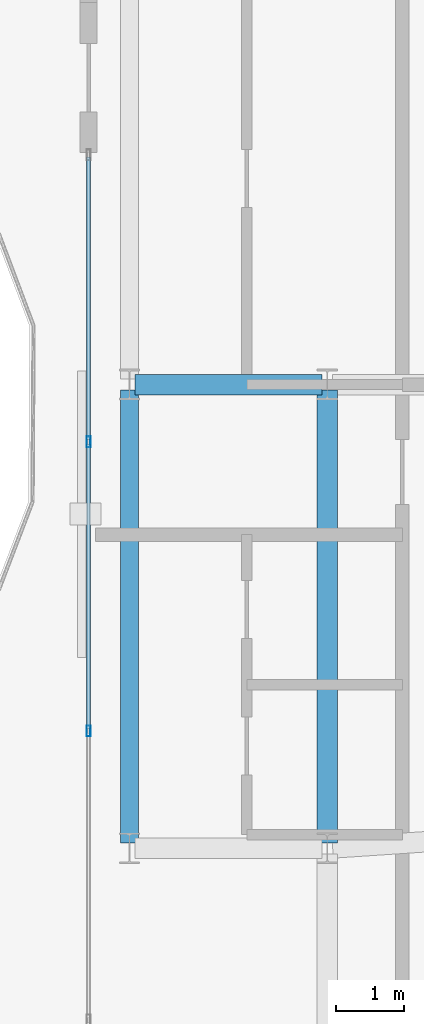
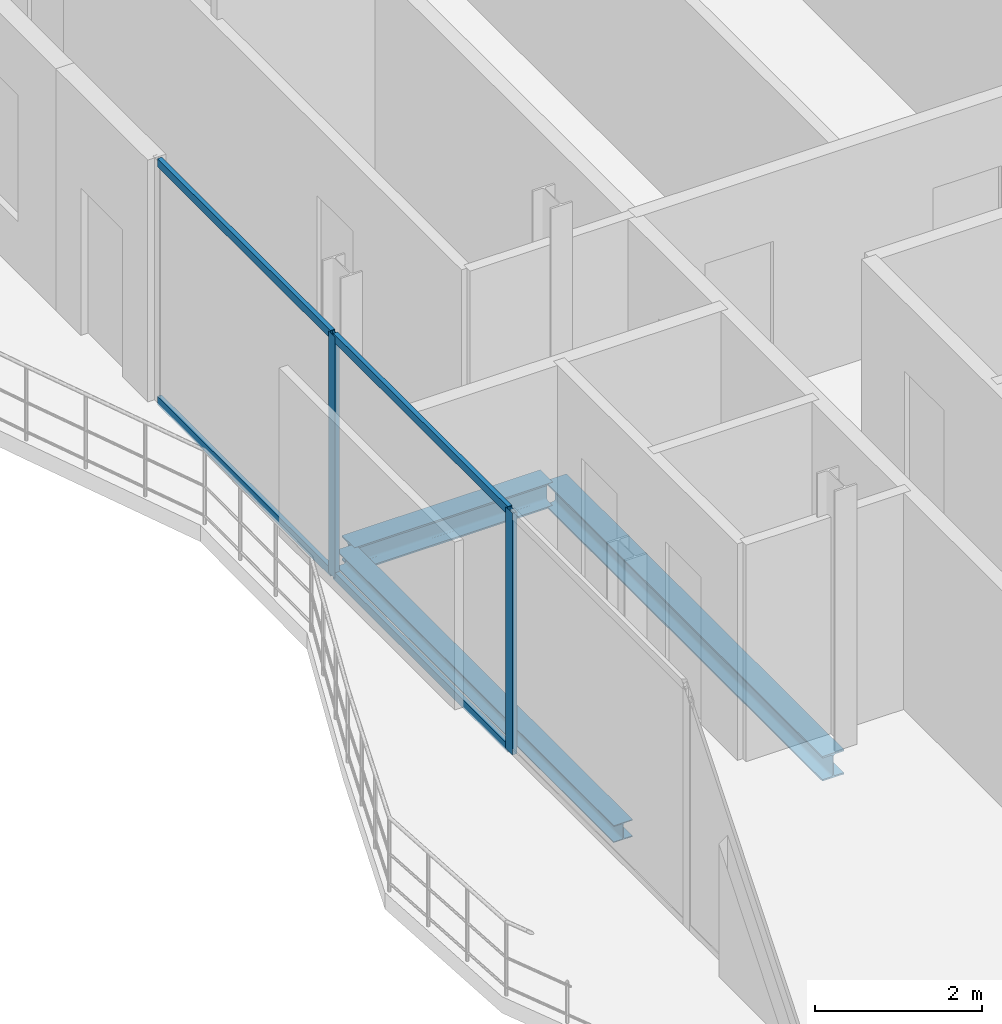
# One storey, part 10 of 23: 6 members, 3 beams, 1 element without a shape of its own.
"""IFC4 building model written with IfcOpenShell, lengths in metres."""

from ifc_helpers import new_model, si_unit, direction, frame, origin, origin_2d, place, context, subcontext, project, spatial, hollow_rectangle, i_section, extrude, material, layer, layer_set, material_profile, profile_set, type_object, element, aggregate, save


model = new_model("IFC4")

# Units and contexts
model_context = context("Model", 3, precision=1e-05, world=origin(), true_north=direction((0.0, 1.0)))
body_context = subcontext(model_context, "Body", "Model", "MODEL_VIEW")
ifc_project = project(units=[si_unit("LENGTHUNIT", "METRE"), si_unit("AREAUNIT", "SQUARE_METRE"), si_unit("VOLUMEUNIT", "CUBIC_METRE"), si_unit("PLANEANGLEUNIT", "RADIAN"), si_unit("MASSUNIT", "GRAM", prefix="KILO")], contexts=[model_context])

# Site, building, storey
site_placement = place(None, origin())
site = spatial("IfcSite", under=ifc_project, at=site_placement, CompositionType="ELEMENT")
building_placement = place(site_placement, origin())
building = spatial("IfcBuilding", under=site, at=building_placement, Name="Catumbela Crestline Tower", CompositionType="ELEMENT")
storey_placement = place(building_placement, frame((0.0, 0.0, 245.0)))
storey = spatial("IfcBuildingStorey", under=building, at=storey_placement, Name="L63", CompositionType="ELEMENT", Elevation=245.0)

# Beams
ifc_material_1 = material(Name="Structural steel S355J2", Category="steel")
ifc_material_profile_1 = material_profile(ifc_material_1, i_section(OverallWidth=0.3, OverallDepth=0.36, WebThickness=0.0125, FlangeThickness=0.0225, FilletRadius=0.027, at=origin_2d()), Name="HEB 360")
ifc_profile_set_1 = profile_set([ifc_material_profile_1], Name="Structural steel S355J2")
beam_type_1 = type_object("IfcBeamType", Name="BG-HEB360", PredefinedType="BEAM", material=ifc_profile_set_1)
beam_1_placement = place(storey_placement, frame((5.68, 30.8, -0.44), z_axis=(1.0, 0.0, 0.0), x_axis=(0.0, 1.0, 0.0)))
element("IfcBeam", 1, at=beam_1_placement, inside=storey, type_object=beam_type_1, Name="L63 Beam BM-L63-M06", PredefinedType="BEAM", context=body_context, shape_type="SweptSolid", body=[
    extrude(i_section(OverallWidth=0.3, OverallDepth=0.36, WebThickness=0.0125, FlangeThickness=0.0225, FilletRadius=0.027, at=origin_2d()), origin(), (0.0, 0.0, 1.0), 2.74),
])
beam_2_placement = place(storey_placement, frame((8.5, 24.08, -0.44), z_axis=(0.0, 1.0, 0.0), x_axis=(-1.0, 0.0, 0.0)))
element("IfcBeam", 2, at=beam_2_placement, inside=storey, type_object=beam_type_1, Name="L63 Beam BM-L63-SN14", PredefinedType="BEAM", context=body_context, shape_type="SweptSolid", body=[
    extrude(i_section(OverallWidth=0.3, OverallDepth=0.36, WebThickness=0.0125, FlangeThickness=0.0225, FilletRadius=0.027, at=origin_2d()), origin(), (0.0, 0.0, 1.0), 6.64),
])

# Curtain wall, members
ifc_material_2 = material(Name="Aluminium alloy AW-6060-T66", Category="aluminium")
ifc_layer = layer(ifc_material_2, 0.18, Name="Aluminium alloy AW-6060-T66")
ifc_layer_set = layer_set([ifc_layer], Name="Aluminium alloy AW-6060-T66")
curtain_wall_type = type_object("IfcCurtainWallType", Name="CWU-Z4", PredefinedType="USERDEFINED", material=ifc_layer_set)
curtain_wall_placement = place(storey_placement, origin())
curtain_wall = element("IfcCurtainWall", 3, at=curtain_wall_placement, inside=storey, type_object=curtain_wall_type, Name="L63 Unitised Curtain Wall CW-L63-E9S2", ObjectType="UNITISED", PredefinedType="USERDEFINED")
ifc_material_profile_2 = material_profile(ifc_material_2, hollow_rectangle(XDim=0.06, YDim=0.16, WallThickness=0.004, at=origin_2d()), Name="ALU 160x60x4")
ifc_profile_set_2 = profile_set([ifc_material_profile_2], Name="Aluminium alloy AW-6060-T66")
member_type_1 = type_object("IfcMemberType", Name="MUL-160X60", PredefinedType="MULLION", material=ifc_profile_set_2)
member_1_placement = place(storey_placement, frame((5.0, 29.96, 0.0), z_axis=(0.0, 0.0, 1.0), x_axis=(1.0, 0.0, 0.0)))
member_1 = element("IfcMember", 4, at=member_1_placement, type_object=member_type_1, Name="CWU-Z4 mullion 2", PredefinedType="MULLION", context=body_context, shape_type="SweptSolid", body=[
    extrude(hollow_rectangle(XDim=0.06, YDim=0.16, WallThickness=0.004, at=origin_2d()), origin(), (0.0, 0.0, 1.0), 3.53),
])
member_2_placement = place(storey_placement, frame((5.0, 25.72, 0.0), z_axis=(0.0, 0.0, 1.0), x_axis=(1.0, 0.0, 0.0)))
member_2 = element("IfcMember", 5, at=member_2_placement, type_object=member_type_1, Name="CWU-Z4 mullion 3", PredefinedType="MULLION", context=body_context, shape_type="SweptSolid", body=[
    extrude(hollow_rectangle(XDim=0.06, YDim=0.16, WallThickness=0.004, at=origin_2d()), origin(), (0.0, 0.0, 1.0), 3.53),
])

# Beam
ifc_material_profile_3 = material_profile(ifc_material_1, i_section(OverallWidth=0.26, OverallDepth=0.25, WebThickness=0.0075, FlangeThickness=0.0125, FilletRadius=0.024, at=origin_2d()), Name="HEA 260")
ifc_profile_set_3 = profile_set([ifc_material_profile_3], Name="Structural steel S355J2")
beam_type_2 = type_object("IfcBeamType", Name="BS-HEA260", PredefinedType="SPANDREL", material=ifc_profile_set_3)
beam_3_placement = place(storey_placement, frame((5.6, 24.08, -0.385), z_axis=(0.0, 1.0, 0.0), x_axis=(-1.0, 0.0, 0.0)))
element("IfcBeam", 6, at=beam_3_placement, inside=storey, type_object=beam_type_2, Name="L63 Spandrel SP-L63-SN12", PredefinedType="SPANDREL", context=body_context, shape_type="SweptSolid", body=[
    extrude(i_section(OverallWidth=0.26, OverallDepth=0.25, WebThickness=0.0075, FlangeThickness=0.0125, FilletRadius=0.024, at=origin_2d()), origin(), (0.0, 0.0, 1.0), 6.64),
])

# Member
ifc_material_profile_4 = material_profile(ifc_material_2, hollow_rectangle(XDim=0.06, YDim=0.12, WallThickness=0.0035, at=origin_2d()), Name="ALU 120x60x3.5")
ifc_profile_set_4 = profile_set([ifc_material_profile_4], Name="Aluminium alloy AW-6060-T66")
member_type_2 = type_object("IfcMemberType", Name="TRN-120X60", PredefinedType="USERDEFINED", material=ifc_profile_set_4)
member_3_placement = place(storey_placement, frame((5.0, 34.135, 0.03), z_axis=(0.0, -1.0, 0.0), x_axis=(1.0, 0.0, 0.0)))
member_3 = element("IfcMember", 7, at=member_3_placement, type_object=member_type_2, Name="CWU-Z4 transom 1.1", ObjectType="TRANSOM", PredefinedType="USERDEFINED", context=body_context, shape_type="SweptSolid", body=[
    extrude(hollow_rectangle(XDim=0.06, YDim=0.12, WallThickness=0.0035, at=origin_2d()), origin(), (0.0, 0.0, 1.0), 4.1425),
])

member_4_placement = place(storey_placement, frame((5.0, 34.135, 3.5), z_axis=(0.0, -1.0, 0.0), x_axis=(1.0, 0.0, 0.0)))
member_4 = element("IfcMember", 8, at=member_4_placement, type_object=member_type_2, Name="CWU-Z4 transom 1.2", ObjectType="TRANSOM", PredefinedType="USERDEFINED", context=body_context, shape_type="SweptSolid", body=[
    extrude(hollow_rectangle(XDim=0.06, YDim=0.12, WallThickness=0.0035, at=origin_2d()), origin(), (0.0, 0.0, 1.0), 4.1425),
])

member_5_placement = place(storey_placement, frame((5.0, 29.9275, 0.03), z_axis=(0.0, -1.0, 0.0), x_axis=(1.0, 0.0, 0.0)))
member_5 = element("IfcMember", 9, at=member_5_placement, type_object=member_type_2, Name="CWU-Z4 transom 2.1", ObjectType="TRANSOM", PredefinedType="USERDEFINED", context=body_context, shape_type="SweptSolid", body=[
    extrude(hollow_rectangle(XDim=0.06, YDim=0.12, WallThickness=0.0035, at=origin_2d()), origin(), (0.0, 0.0, 1.0), 4.175),
])

member_6_placement = place(storey_placement, frame((5.0, 29.9275, 3.5), z_axis=(0.0, -1.0, 0.0), x_axis=(1.0, 0.0, 0.0)))
member_6 = element("IfcMember", 10, at=member_6_placement, type_object=member_type_2, Name="CWU-Z4 transom 2.2", ObjectType="TRANSOM", PredefinedType="USERDEFINED", context=body_context, shape_type="SweptSolid", body=[
    extrude(hollow_rectangle(XDim=0.06, YDim=0.12, WallThickness=0.0035, at=origin_2d()), origin(), (0.0, 0.0, 1.0), 4.175),
])

aggregate(curtain_wall, [member_1, member_2, member_3, member_4, member_5, member_6])

save(model, "model.ifc")
